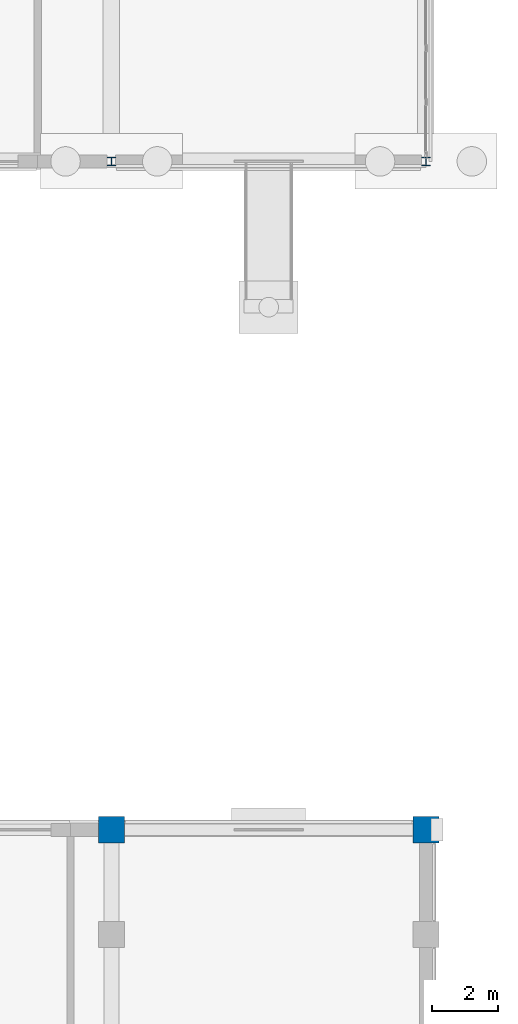
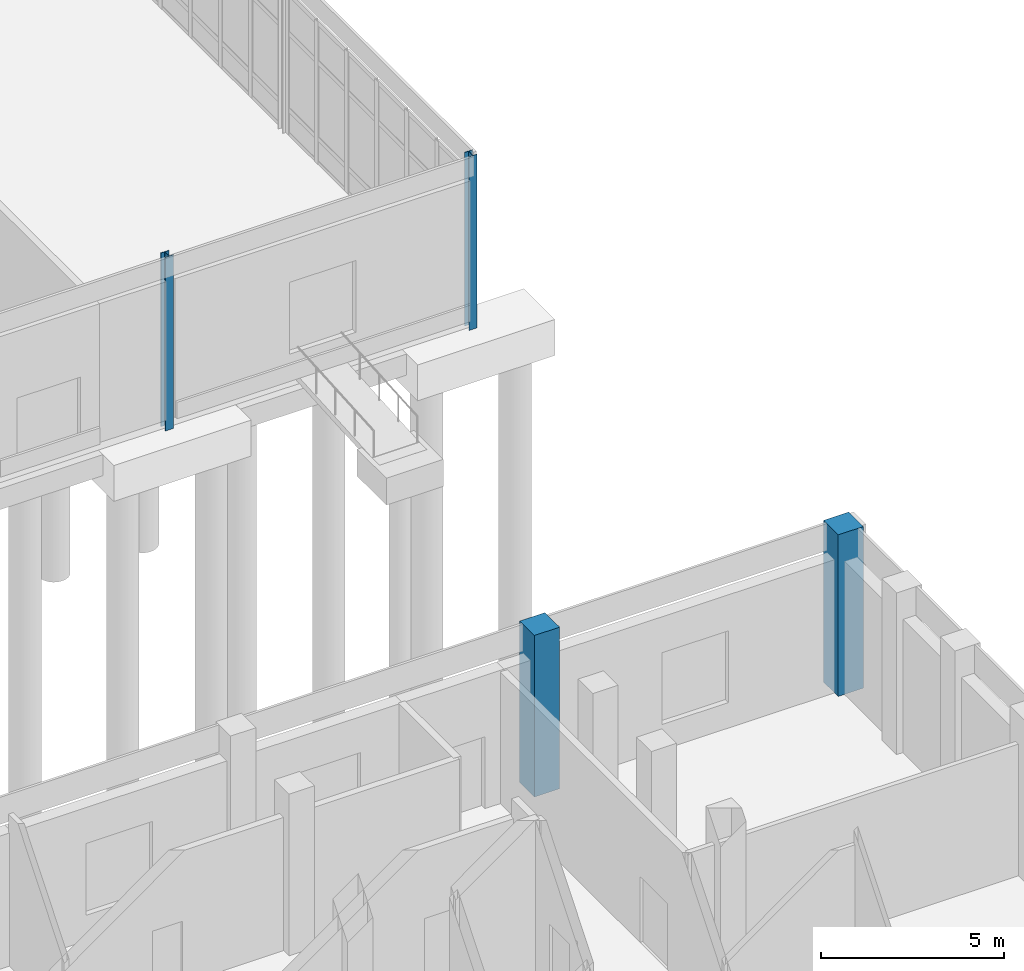
# One storey, part 21 of 137: 4 columns.
"""IFC4 building model written with IfcOpenShell, lengths in metres."""

import ifcopenshell
import ifcopenshell.guid

model = None  # the IFC model being written
_history = None  # IfcOwnerHistory: only IFC2X3 demands one
_inside = {}  # id of a spatial element -> (the spatial element, [elements in it])
_under = {}  # id of a project, library or spatial element -> (it, [spatial elements below it])
_declared = {}  # id of a project -> (the project, [libraries it declares])
_typed = {}  # id of a type object -> (the type object, [elements of that type])
_made_of = {}  # id of a material, layer set ... -> (it, [elements and type objects made of it])


def new_model(schema):
    """Start an empty IFC model of exactly this schema.

    Asked for "IFC4X3", IfcOpenShell would pick the latest addendum, in which some entities
    have other attributes; the version numbers below select the first issue.
    IFC2X3 requires an IfcOwnerHistory on every rooted entity: one is made here for all.
    """
    global model, _history
    if schema == "IFC4X3":
        model = ifcopenshell.file(schema_version=(4, 3, 0, 0))
    else:
        model = ifcopenshell.file(schema=schema)
    _inside.clear()
    _under.clear()
    _declared.clear()
    _typed.clear()
    _made_of.clear()
    _history = None
    if model.schema == "IFC2X3":
        org = make("IfcOrganization", Name="unknown")
        user = make(
            "IfcPersonAndOrganization",
            ThePerson=make("IfcPerson", FamilyName="unknown"),
            TheOrganization=org,
        )
        app = make(
            "IfcApplication",
            ApplicationDeveloper=org,
            Version="unknown",
            ApplicationFullName="unknown",
            ApplicationIdentifier="unknown",
        )
        _history = make(
            "IfcOwnerHistory",
            OwningUser=user,
            OwningApplication=app,
            ChangeAction="ADDED",
            CreationDate=0,
        )
    return model


def make(cls, **values):
    """One entity of the class cls with the attributes given. An attribute that is None is left unset."""
    return model.create_entity(
        cls, **{name: value for name, value in values.items() if value is not None}
    )


def rooted(cls, **values):
    """An entity with a GlobalId (a new one), such as an element, a storey or a relation."""
    return make(cls, GlobalId=ifcopenshell.guid.new(), OwnerHistory=_history, **values)


def si_unit(unit_type, name, prefix=None):
    """IfcSIUnit, for example si_unit("LENGTHUNIT", "METRE", prefix="MILLI")."""
    return make("IfcSIUnit", UnitType=unit_type, Prefix=prefix, Name=name)


def assignment(units):
    """IfcUnitAssignment: the units of a project."""
    return None if units is None else make("IfcUnitAssignment", Units=units)


def point(xyz):
    """IfcCartesianPoint."""
    return None if xyz is None else make("IfcCartesianPoint", Coordinates=xyz)


def direction(xyz):
    """IfcDirection."""
    return None if xyz is None else make("IfcDirection", DirectionRatios=xyz)


def frame(location, z_axis=None, x_axis=None):
    """IfcAxis2Placement3D, a coordinate frame: its origin and axes. An axis left out is left unset."""
    return make(
        "IfcAxis2Placement3D",
        Location=point(location),
        Axis=direction(z_axis),
        RefDirection=direction(x_axis),
    )


def frame_2d(location, x_axis=None):
    """IfcAxis2Placement2D, a coordinate frame in the plane: its origin and x axis."""
    return make(
        "IfcAxis2Placement2D", Location=point(location), RefDirection=direction(x_axis)
    )


def origin():
    """The frame at (0, 0, 0) with its axes left unset."""
    return frame((0.0, 0.0, 0.0))


def origin_2d():
    """The frame at (0, 0) in the plane with its x axis left unset."""
    return frame_2d((0.0, 0.0))


def place(relative_to, where):
    """IfcLocalPlacement: puts the frame where relative to a parent placement (None: the world)."""
    return make(
        "IfcLocalPlacement", PlacementRelTo=relative_to, RelativePlacement=where
    )


def context(
    kind, dimensions, precision=None, world=None, true_north=None, identifier=None
):
    """IfcGeometricRepresentationContext, for example the 3D "Model" context."""
    return make(
        "IfcGeometricRepresentationContext",
        ContextIdentifier=identifier,
        ContextType=kind,
        CoordinateSpaceDimension=dimensions,
        Precision=precision,
        WorldCoordinateSystem=world,
        TrueNorth=true_north,
    )


def subcontext(parent, identifier, kind, view, scale=None):
    """IfcGeometricRepresentationSubContext, for example "Body" below "Model"."""
    return make(
        "IfcGeometricRepresentationSubContext",
        ContextIdentifier=identifier,
        ContextType=kind,
        ParentContext=parent,
        TargetScale=scale,
        TargetView=view,
    )


def project(units=None, contexts=None):
    """IfcProject with its units and contexts."""
    return rooted(
        "IfcProject",
        Name="project",
        RepresentationContexts=contexts,
        UnitsInContext=assignment(units),
    )


def spatial(cls, under=None, at=None, **own):
    """A site, building, storey or space (cls), placed at a placement, below another one or the project."""
    s = rooted(cls, ObjectPlacement=at, **own)
    if under is not None:
        _under.setdefault(under.id(), (under, []))[1].append(s)
    return s


def profile(cls, at=None, kind="AREA", **sizes):
    """A parametric profile (cls). Its sizes go by their IFC names, for example OverallWidth=200.0."""
    return make(cls, ProfileType=kind, Position=at, **sizes)


def rectangle(**sizes):
    """IfcRectangleProfileDef."""
    return profile("IfcRectangleProfileDef", **sizes)


def i_section(**sizes):
    """IfcIShapeProfileDef."""
    return profile("IfcIShapeProfileDef", **sizes)


def extrude(swept, where, along, depth):
    """IfcExtrudedAreaSolid: the profile swept, set in the frame where, extruded along a direction by depth."""
    return make(
        "IfcExtrudedAreaSolid",
        SweptArea=swept,
        Position=where,
        ExtrudedDirection=direction(along),
        Depth=depth,
    )


def shape(context_of_items, identifier, shape_type, items):
    """IfcShapeRepresentation: the items that make up one representation, for example the "Body"."""
    return make(
        "IfcShapeRepresentation",
        ContextOfItems=context_of_items,
        RepresentationIdentifier=identifier,
        RepresentationType=shape_type,
        Items=items,
    )


def material(Name=None, Category=None):
    """IfcMaterial."""
    return make("IfcMaterial", Name=Name, Category=Category)


def material_profile(
    of_material, cross_section, Name=None, Category=None, Priority=None
):
    """IfcMaterialProfile: a cross section and its material."""
    return make(
        "IfcMaterialProfile",
        Name=Name,
        Material=of_material,
        Profile=cross_section,
        Priority=Priority,
        Category=Category,
    )


def profile_set(profiles, Name=None, composite=None):
    """IfcMaterialProfileSet."""
    return make(
        "IfcMaterialProfileSet",
        Name=Name,
        MaterialProfiles=profiles,
        CompositeProfile=composite,
    )


def made_of(thing, what):
    """Note that an element or type object is made of a material, layer set ...; save() writes the relation."""
    if what is not None:
        _made_of.setdefault(what.id(), (what, []))[1].append(thing)
    return thing


def type_object(cls, material=None, **own):
    """A type object (cls), such as IfcWallType, which elements share."""
    return made_of(rooted(cls, **own), material)


def element(
    cls,
    number,
    at=None,
    inside=None,
    cuts=None,
    type_object=None,
    material=None,
    context=None,
    identifier="Body",
    shape_type=None,
    held_by="IfcProductDefinitionShape",
    body=None,
    shapes=None,
    **own,
):
    """One element of the class cls, such as IfcWall. Its Tag is "e" and its number.

    at: its placement. inside: the storey or other place that contains it. cuts: it is an
    opening in that element (IfcRelVoidsElement). A single representation is given by context,
    identifier, shape_type and body (its items); several are given by shapes. held_by: the class
    of the entity that holds the representations. save() writes the other relations.
    """
    e = rooted(cls, Tag="e%d" % number, ObjectPlacement=at, **own)
    if body is not None:
        shapes = [shape(context, identifier, shape_type, body)]
    if shapes is not None:
        e.Representation = make(held_by, Representations=shapes)
    if inside is not None:
        _inside.setdefault(inside.id(), (inside, []))[1].append(e)
    if cuts is not None:
        rooted(
            "IfcRelVoidsElement", RelatingBuildingElement=cuts, RelatedOpeningElement=e
        )
    if type_object is not None:
        _typed.setdefault(type_object.id(), (type_object, []))[1].append(e)
    return made_of(e, material)


def aggregate(whole, parts):
    """IfcRelAggregates: a whole, such as a stair, and the parts it consists of."""
    return rooted("IfcRelAggregates", RelatingObject=whole, RelatedObjects=parts)


def save(model, path):
    """Write the relations noted so far, then the file.

    IfcRelAggregates (storeys below a building ...), IfcRelContainedInSpatialStructure (elements
    in a storey), IfcRelDefinesByType, IfcRelAssociatesMaterial and IfcRelDeclares: one each for
    every whole, place, type object, material and project.
    """
    for whole, parts in _under.values():
        aggregate(whole, parts)
    for where, things in _inside.values():
        rooted(
            "IfcRelContainedInSpatialStructure",
            RelatedElements=things,
            RelatingStructure=where,
        )
    for kind, things in _typed.values():
        rooted("IfcRelDefinesByType", RelatedObjects=things, RelatingType=kind)
    for what, things in _made_of.values():
        rooted("IfcRelAssociatesMaterial", RelatedObjects=things, RelatingMaterial=what)
    for by, libraries in _declared.values():
        rooted("IfcRelDeclares", RelatingContext=by, RelatedDefinitions=libraries)
    model.write(path)


model = new_model("IFC4")

# Units and contexts
model_context = context("Model", 3, precision=1e-05, world=origin(), true_north=direction((0.0, 1.0)))
body_context = subcontext(model_context, "Body", "Model", "MODEL_VIEW")
ifc_project = project(units=[si_unit("LENGTHUNIT", "METRE"), si_unit("AREAUNIT", "SQUARE_METRE"), si_unit("VOLUMEUNIT", "CUBIC_METRE"), si_unit("PLANEANGLEUNIT", "RADIAN"), si_unit("MASSUNIT", "GRAM", prefix="KILO")], contexts=[model_context])

# Site, building, storey
site_placement = place(None, origin())
site = spatial("IfcSite", under=ifc_project, at=site_placement, CompositionType="ELEMENT")
building_placement = place(site_placement, origin())
building = spatial("IfcBuilding", under=site, at=building_placement, Name="Vondelvale Polytechnic", CompositionType="ELEMENT")
storey_placement = place(building_placement, origin())
storey = spatial("IfcBuildingStorey", under=building, at=storey_placement, Name="L00", CompositionType="ELEMENT", Elevation=0.0)

# Columns
ifc_material_1 = material(Name="Concrete N50 (f'c = 50 MPa)", Category="concrete")
ifc_material_profile_1 = material_profile(ifc_material_1, rectangle(XDim=0.800048828125, YDim=0.800048828125, at=origin_2d()), Name="RC-COL-800x800")
ifc_profile_set_1 = profile_set([ifc_material_profile_1], Name="Concrete N50 (f'c = 50 MPa)")
column_type_1 = type_object("IfcColumnType", Name="COL-RC800", PredefinedType="COLUMN", material=ifc_profile_set_1)
for number, where, z_axis, x_axis, name in (
    (1, (163.199951171875, 30.60009765625, 0.0), (0.0, 0.0, 1.0), (1.0, 0.0, 0.0), "L00 lecture wing column (163.2,30.6)"),
    (2, (172.800048828125, 30.60009765625, 0.0), (0.0, 0.0, 1.0), (1.0, 0.0, 0.0), "L00 lecture wing column (172.8,30.6)"),
):
    element("IfcColumn", number, at=place(storey_placement, frame(where, z_axis=z_axis, x_axis=x_axis)), inside=storey, type_object=column_type_1, Name=name, PredefinedType="COLUMN", context=body_context, shape_type="SweptSolid", body=[
        extrude(rectangle(XDim=0.800048828125, YDim=0.800048828125, at=origin_2d()), origin(), (0.0, 0.0, 1.0), 5.39990234375),
    ])
ifc_material_2 = material(Name="Steel 300PLUS (fy = 300 MPa)", Category="steel")
ifc_material_profile_2 = material_profile(ifc_material_2, i_section(OverallWidth=0.256103515625, OverallDepth=0.260009765625, WebThickness=0.010498046875, FlangeThickness=0.017333984375, FilletRadius=0.013916015625, at=origin_2d()), Name="250UC89.5")
ifc_profile_set_2 = profile_set([ifc_material_profile_2], Name="Steel 300PLUS (fy = 300 MPa)")
column_type_2 = type_object("IfcColumnType", Name="COL-UC250", PredefinedType="COLUMN", material=ifc_profile_set_2)
for number, where, z_axis, x_axis, name in (
    (3, (163.199951171875, 51.0, -0.39990234375), (0.0, 0.0, 1.0), (1.0, 0.0, 0.0), "L00 East pavilion column (163.2,51.0)"),
    (4, (172.800048828125, 51.0, -0.39990234375), (0.0, 0.0, 1.0), (1.0, 0.0, 0.0), "L00 East pavilion column (172.8,51.0)"),
):
    element("IfcColumn", number, at=place(storey_placement, frame(where, z_axis=z_axis, x_axis=x_axis)), inside=storey, type_object=column_type_2, Name=name, PredefinedType="COLUMN", context=body_context, shape_type="SweptSolid", body=[
        extrude(i_section(OverallWidth=0.256103515625, OverallDepth=0.260009765625, WebThickness=0.010498046875, FlangeThickness=0.017333984375, FilletRadius=0.013916015625, at=origin_2d()), origin(), (0.0, 0.0, 1.0), 5.7998046875),
    ])

save(model, "model.ifc")
